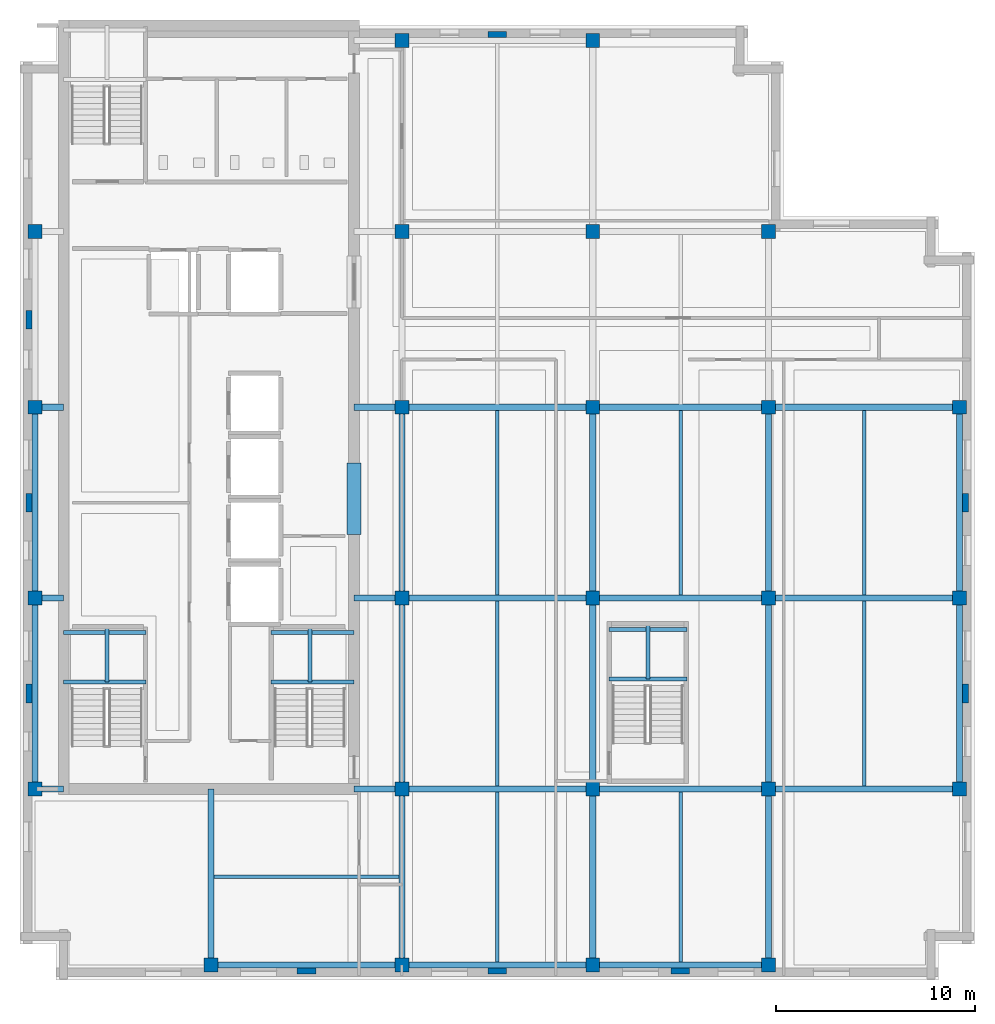
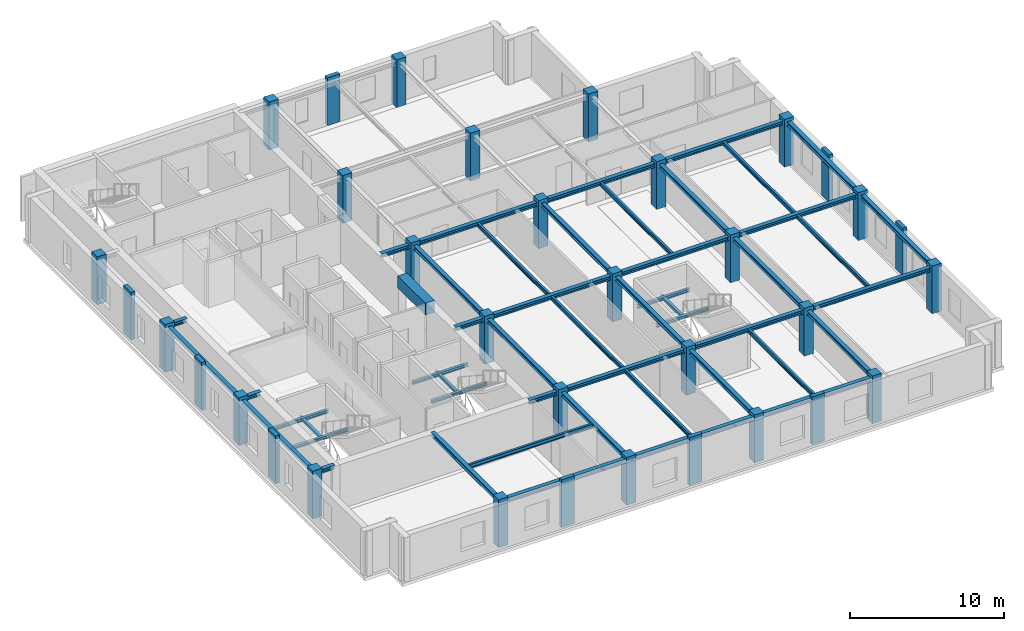
# One storey, part 1 of 11: 50 beams, 34 columns.
"""IFC4 building model written with IfcOpenShell, lengths in metres."""

from ifc_helpers import new_model, si_unit, direction, frame, origin, origin_2d, place, context, subcontext, project, spatial, rectangle, i_section, extrude, material, material_profile, profile_set, type_object, element, save


model = new_model("IFC4")

# Units and contexts
model_context = context("Model", 3, precision=1e-05, world=origin(), true_north=direction((0.0, 1.0)))
body_context = subcontext(model_context, "Body", "Model", "MODEL_VIEW")
ifc_project = project(units=[si_unit("LENGTHUNIT", "METRE"), si_unit("AREAUNIT", "SQUARE_METRE"), si_unit("VOLUMEUNIT", "CUBIC_METRE"), si_unit("PLANEANGLEUNIT", "RADIAN"), si_unit("MASSUNIT", "GRAM", prefix="KILO")], contexts=[model_context])

# Site, building, storey
site_placement = place(None, origin())
site = spatial("IfcSite", under=ifc_project, at=site_placement, CompositionType="ELEMENT")
building_placement = place(site_placement, origin())
building = spatial("IfcBuilding", under=site, at=building_placement, Name="Norrvale University Quadrangle", CompositionType="ELEMENT")
storey_placement = place(building_placement, frame((0.0, 0.0, 300.0)))
storey = spatial("IfcBuildingStorey", under=building, at=storey_placement, Name="L76", CompositionType="ELEMENT", Elevation=300.0)

# Columns
ifc_material_1 = material(Name="Red Manganese Brick Concrete C60/75", Category="concrete")
ifc_material_profile_1 = material_profile(ifc_material_1, rectangle(XDim=0.949951171875, YDim=0.300048828125, at=origin_2d()), Name="Red Manganese Brick Concrete C60/75")
ifc_profile_set_1 = profile_set([ifc_material_profile_1], Name="Red Manganese Brick Concrete C60/75")
column_type_1 = type_object("IfcColumnType", Name="Column Brick Pier 950x300", PredefinedType="PILASTER", material=ifc_profile_set_1)
for number, where, z_axis, x_axis, name in (
    (1, (0.449951171875, 14.39990234375, 0.0), (0.0, 0.0, 1.0), (0.0, 1.0, 0.0), "Exterior Brick Facade Pilaster L76-01"),
    (2, (0.449951171875, 24.0, 0.0), (0.0, 0.0, 1.0), (0.0, 1.0, 0.0), "Exterior Brick Facade Pilaster L76-02"),
    (3, (0.449951171875, 33.199951171875, 0.0), (0.0, 0.0, 1.0), (0.0, 1.0, 0.0), "Exterior Brick Facade Pilaster L76-03"),
    (4, (14.39990234375, 0.449951171875, 0.0), (0.0, 0.0, 1.0), (1.0, 0.0, 0.0), "Exterior Brick Facade Pilaster L76-04"),
    (5, (24.0, 0.449951171875, 0.0), (0.0, 0.0, 1.0), (1.0, 0.0, 0.0), "Exterior Brick Facade Pilaster L76-05"),
    (6, (33.199951171875, 0.449951171875, 0.0), (0.0, 0.0, 1.0), (1.0, 0.0, 0.0), "Exterior Brick Facade Pilaster L76-06"),
    (7, (47.550048828125, 14.39990234375, 0.0), (0.0, 0.0, 1.0), (0.0, 1.0, 0.0), "Exterior Brick Facade Pilaster L76-07"),
    (8, (47.550048828125, 24.0, 0.0), (0.0, 0.0, 1.0), (0.0, 1.0, 0.0), "Exterior Brick Facade Pilaster L76-08"),
    (9, (24.0, 47.550048828125, 0.0), (0.0, 0.0, 1.0), (1.0, 0.0, 0.0), "Exterior Brick Facade Pilaster L76-09"),
):
    element("IfcColumn", number, at=place(storey_placement, frame(where, z_axis=z_axis, x_axis=x_axis)), inside=storey, type_object=column_type_1, Name=name, PredefinedType="PILASTER", context=body_context, shape_type="SweptSolid", body=[
        extrude(rectangle(XDim=0.949951171875, YDim=0.300048828125, at=origin_2d()), origin(), (0.0, 0.0, 1.0), 3.800048828125),
    ])
ifc_material_2 = material(Name="Concrete C60/75", Category="concrete")
ifc_material_profile_2 = material_profile(ifc_material_2, rectangle(XDim=0.699951171875, YDim=0.699951171875, at=origin_2d()), Name="Concrete C60/75")
ifc_profile_set_2 = profile_set([ifc_material_profile_2], Name="Concrete C60/75")
column_type_2 = type_object("IfcColumnType", Name="Column Tower Z4 700x700", PredefinedType="COLUMN", material=ifc_profile_set_2)
for number, where, z_axis, x_axis, name in (
    (10, (0.75, 9.60009765625, 0.0), (0.0, 0.0, 1.0), (1.0, 0.0, 0.0), "Tower Column L76-T01"),
    (11, (0.75, 19.199951171875, 0.0), (0.0, 0.0, 1.0), (1.0, 0.0, 0.0), "Tower Column L76-T02"),
    (12, (0.75, 28.800048828125, 0.0), (0.0, 0.0, 1.0), (1.0, 0.0, 0.0), "Tower Column L76-T03"),
    (13, (0.75, 37.64990234375, 0.0), (0.0, 0.0, 1.0), (1.0, 0.0, 0.0), "Tower Column L76-T04"),
    (14, (9.60009765625, 0.75, 0.0), (0.0, 0.0, 1.0), (1.0, 0.0, 0.0), "Tower Column L76-T05"),
    (15, (19.199951171875, 0.75, 0.0), (0.0, 0.0, 1.0), (1.0, 0.0, 0.0), "Tower Column L76-T06"),
    (16, (19.199951171875, 9.60009765625, 0.0), (0.0, 0.0, 1.0), (1.0, 0.0, 0.0), "Tower Column L76-T07"),
    (17, (19.199951171875, 19.199951171875, 0.0), (0.0, 0.0, 1.0), (1.0, 0.0, 0.0), "Tower Column L76-T08"),
    (18, (19.199951171875, 28.800048828125, 0.0), (0.0, 0.0, 1.0), (1.0, 0.0, 0.0), "Tower Column L76-T09"),
    (19, (19.199951171875, 37.64990234375, 0.0), (0.0, 0.0, 1.0), (1.0, 0.0, 0.0), "Tower Column L76-T10"),
    (20, (19.199951171875, 47.25, 0.0), (0.0, 0.0, 1.0), (1.0, 0.0, 0.0), "Tower Column L76-T11"),
    (21, (28.800048828125, 0.75, 0.0), (0.0, 0.0, 1.0), (1.0, 0.0, 0.0), "Tower Column L76-T12"),
    (22, (28.800048828125, 9.60009765625, 0.0), (0.0, 0.0, 1.0), (1.0, 0.0, 0.0), "Tower Column L76-T13"),
    (23, (28.800048828125, 19.199951171875, 0.0), (0.0, 0.0, 1.0), (1.0, 0.0, 0.0), "Tower Column L76-T14"),
    (24, (28.800048828125, 28.800048828125, 0.0), (0.0, 0.0, 1.0), (1.0, 0.0, 0.0), "Tower Column L76-T15"),
    (25, (28.800048828125, 37.64990234375, 0.0), (0.0, 0.0, 1.0), (1.0, 0.0, 0.0), "Tower Column L76-T16"),
    (26, (28.800048828125, 47.25, 0.0), (0.0, 0.0, 1.0), (1.0, 0.0, 0.0), "Tower Column L76-T17"),
    (27, (37.64990234375, 0.75, 0.0), (0.0, 0.0, 1.0), (1.0, 0.0, 0.0), "Tower Column L76-T18"),
    (28, (37.64990234375, 9.60009765625, 0.0), (0.0, 0.0, 1.0), (1.0, 0.0, 0.0), "Tower Column L76-T19"),
    (29, (37.64990234375, 19.199951171875, 0.0), (0.0, 0.0, 1.0), (1.0, 0.0, 0.0), "Tower Column L76-T20"),
    (30, (37.64990234375, 28.800048828125, 0.0), (0.0, 0.0, 1.0), (1.0, 0.0, 0.0), "Tower Column L76-T21"),
    (31, (37.64990234375, 37.64990234375, 0.0), (0.0, 0.0, 1.0), (1.0, 0.0, 0.0), "Tower Column L76-T22"),
    (32, (47.25, 9.60009765625, 0.0), (0.0, 0.0, 1.0), (1.0, 0.0, 0.0), "Tower Column L76-T23"),
    (33, (47.25, 19.199951171875, 0.0), (0.0, 0.0, 1.0), (1.0, 0.0, 0.0), "Tower Column L76-T24"),
    (34, (47.25, 28.800048828125, 0.0), (0.0, 0.0, 1.0), (1.0, 0.0, 0.0), "Tower Column L76-T25"),
):
    element("IfcColumn", number, at=place(storey_placement, frame(where, z_axis=z_axis, x_axis=x_axis)), inside=storey, type_object=column_type_2, Name=name, PredefinedType="COLUMN", context=body_context, shape_type="SweptSolid", body=[
        extrude(rectangle(XDim=0.699951171875, YDim=0.699951171875, at=origin_2d()), origin(), (0.0, 0.0, 1.0), 3.800048828125),
    ])

# Beams
ifc_material_3 = material(Name="Steel 350W", Category="steel")
ifc_material_profile_3 = material_profile(ifc_material_3, i_section(OverallWidth=0.1669921875, OverallDepth=0.31689453125, WebThickness=0.007568359375, FlangeThickness=0.01318359375, FilletRadius=0.010009765625, at=origin_2d()), Name="Steel 350W")
ifc_profile_set_3 = profile_set([ifc_material_profile_3], Name="Steel 350W")
beam_type_1 = type_object("IfcBeamType", Name="Beam Canopy Purlin W310x52", PredefinedType="USERDEFINED", material=ifc_profile_set_3)
beam_1_placement = place(storey_placement, frame((24.0, 0.902587890625, 3.381591796875), z_axis=(0.0, 1.0, 0.0), x_axis=(-1.0, 0.0, 0.0)))
element("IfcBeam", 35, at=beam_1_placement, inside=storey, type_object=beam_type_1, Name="Beam Canopy Purlin W310x52 BM-L76-J044", ObjectType="PURLIN", PredefinedType="USERDEFINED", context=body_context, shape_type="SweptSolid", body=[
    extrude(i_section(OverallWidth=0.1669921875, OverallDepth=0.31689453125, WebThickness=0.007568359375, FlangeThickness=0.01318359375, FilletRadius=0.010009765625, at=origin_2d()), origin(), (0.0, 0.0, 1.0), 8.544921875),
])
beam_2_placement = place(storey_placement, frame((24.0, 9.75244140625, 3.381591796875), z_axis=(0.0, 1.0, 0.0), x_axis=(-1.0, 0.0, 0.0)))
element("IfcBeam", 36, at=beam_2_placement, inside=storey, type_object=beam_type_1, Name="Beam Canopy Purlin W310x52 BM-L76-J045", ObjectType="PURLIN", PredefinedType="USERDEFINED", context=body_context, shape_type="SweptSolid", body=[
    extrude(i_section(OverallWidth=0.1669921875, OverallDepth=0.31689453125, WebThickness=0.007568359375, FlangeThickness=0.01318359375, FilletRadius=0.010009765625, at=origin_2d()), origin(), (0.0, 0.0, 1.0), 9.295166015625),
])
beam_3_placement = place(storey_placement, frame((24.0, 19.3525390625, 3.381591796875), z_axis=(0.0, 1.0, 0.0), x_axis=(-1.0, 0.0, 0.0)))
element("IfcBeam", 37, at=beam_3_placement, inside=storey, type_object=beam_type_1, Name="Beam Canopy Purlin W310x52 BM-L76-J046", ObjectType="PURLIN", PredefinedType="USERDEFINED", context=body_context, shape_type="SweptSolid", body=[
    extrude(i_section(OverallWidth=0.1669921875, OverallDepth=0.31689453125, WebThickness=0.007568359375, FlangeThickness=0.01318359375, FilletRadius=0.010009765625, at=origin_2d()), origin(), (0.0, 0.0, 1.0), 9.294921875),
])
beam_4_placement = place(storey_placement, frame((33.22509765625, 0.902587890625, 3.381591796875), z_axis=(0.0, 1.0, 0.0), x_axis=(-1.0, 0.0, 0.0)))
element("IfcBeam", 38, at=beam_4_placement, inside=storey, type_object=beam_type_1, Name="Beam Canopy Purlin W310x52 BM-L76-J049", ObjectType="PURLIN", PredefinedType="USERDEFINED", context=body_context, shape_type="SweptSolid", body=[
    extrude(i_section(OverallWidth=0.1669921875, OverallDepth=0.31689453125, WebThickness=0.007568359375, FlangeThickness=0.01318359375, FilletRadius=0.010009765625, at=origin_2d()), origin(), (0.0, 0.0, 1.0), 8.544921875),
])
beam_5_placement = place(storey_placement, frame((33.22509765625, 19.3525390625, 3.381591796875), z_axis=(0.0, 1.0, 0.0), x_axis=(-1.0, 0.0, 0.0)))
element("IfcBeam", 39, at=beam_5_placement, inside=storey, type_object=beam_type_1, Name="Beam Canopy Purlin W310x52 BM-L76-J050", ObjectType="PURLIN", PredefinedType="USERDEFINED", context=body_context, shape_type="SweptSolid", body=[
    extrude(i_section(OverallWidth=0.1669921875, OverallDepth=0.31689453125, WebThickness=0.007568359375, FlangeThickness=0.01318359375, FilletRadius=0.010009765625, at=origin_2d()), origin(), (0.0, 0.0, 1.0), 9.294921875),
])
beam_6_placement = place(storey_placement, frame((42.449951171875, 9.75244140625, 3.381591796875), z_axis=(0.0, 1.0, 0.0), x_axis=(-1.0, 0.0, 0.0)))
element("IfcBeam", 40, at=beam_6_placement, inside=storey, type_object=beam_type_1, Name="Beam Canopy Purlin W310x52 BM-L76-J052", ObjectType="PURLIN", PredefinedType="USERDEFINED", context=body_context, shape_type="SweptSolid", body=[
    extrude(i_section(OverallWidth=0.1669921875, OverallDepth=0.31689453125, WebThickness=0.007568359375, FlangeThickness=0.01318359375, FilletRadius=0.010009765625, at=origin_2d()), origin(), (0.0, 0.0, 1.0), 9.295166015625),
])
beam_7_placement = place(storey_placement, frame((42.449951171875, 19.3525390625, 3.381591796875), z_axis=(0.0, 1.0, 0.0), x_axis=(-1.0, 0.0, 0.0)))
element("IfcBeam", 41, at=beam_7_placement, inside=storey, type_object=beam_type_1, Name="Beam Canopy Purlin W310x52 BM-L76-J053", ObjectType="PURLIN", PredefinedType="USERDEFINED", context=body_context, shape_type="SweptSolid", body=[
    extrude(i_section(OverallWidth=0.1669921875, OverallDepth=0.31689453125, WebThickness=0.007568359375, FlangeThickness=0.01318359375, FilletRadius=0.010009765625, at=origin_2d()), origin(), (0.0, 0.0, 1.0), 9.294921875),
])
beam_8_placement = place(storey_placement, frame((9.75244140625, 5.199951171875, 3.381591796875), z_axis=(1.0, 0.0, 0.0), x_axis=(0.0, 1.0, 0.0)))
element("IfcBeam", 42, at=beam_8_placement, inside=storey, type_object=beam_type_1, Name="Beam Canopy Purlin W310x52 BM-L76-JCS055", ObjectType="PURLIN", PredefinedType="USERDEFINED", context=body_context, shape_type="SweptSolid", body=[
    extrude(i_section(OverallWidth=0.1669921875, OverallDepth=0.31689453125, WebThickness=0.007568359375, FlangeThickness=0.01318359375, FilletRadius=0.010009765625, at=origin_2d()), origin(), (0.0, 0.0, 1.0), 9.295166015625),
])
ifc_material_profile_4 = material_profile(ifc_material_3, i_section(OverallWidth=0.304931640625, OverallDepth=0.30810546875, WebThickness=0.010009765625, FlangeThickness=0.015380859375, FilletRadius=0.014892578125, at=origin_2d()), Name="Steel 350W")
ifc_profile_set_4 = profile_set([ifc_material_profile_4], Name="Steel 350W")
beam_type_2 = type_object("IfcBeamType", Name="Beam Canopy W310x97", PredefinedType="BEAM", material=ifc_profile_set_4)
beam_9_placement = place(storey_placement, frame((9.60009765625, 0.75, 3.385986328125), z_axis=(1.0, 0.0, 0.0), x_axis=(0.0, 1.0, 0.0)))
element("IfcBeam", 43, at=beam_9_placement, inside=storey, type_object=beam_type_2, Name="Beam Canopy W310x97 BM-L76-GX001", PredefinedType="BEAM", context=body_context, shape_type="SweptSolid", body=[
    extrude(i_section(OverallWidth=0.304931640625, OverallDepth=0.30810546875, WebThickness=0.010009765625, FlangeThickness=0.015380859375, FilletRadius=0.014892578125, at=origin_2d()), origin(), (0.0, 0.0, 1.0), 9.599853515625),
])
beam_10_placement = place(storey_placement, frame((19.199951171875, 0.75, 3.385986328125), z_axis=(1.0, 0.0, 0.0), x_axis=(0.0, 1.0, 0.0)))
element("IfcBeam", 44, at=beam_10_placement, inside=storey, type_object=beam_type_2, Name="Beam Canopy W310x97 BM-L76-GX002", PredefinedType="BEAM", context=body_context, shape_type="SweptSolid", body=[
    extrude(i_section(OverallWidth=0.304931640625, OverallDepth=0.30810546875, WebThickness=0.010009765625, FlangeThickness=0.015380859375, FilletRadius=0.014892578125, at=origin_2d()), origin(), (0.0, 0.0, 1.0), 9.60009765625),
])
beam_11_placement = place(storey_placement, frame((28.800048828125, 0.75, 3.385986328125), z_axis=(1.0, 0.0, 0.0), x_axis=(0.0, 1.0, 0.0)))
element("IfcBeam", 45, at=beam_11_placement, inside=storey, type_object=beam_type_2, Name="Beam Canopy W310x97 BM-L76-GX003", PredefinedType="BEAM", context=body_context, shape_type="SweptSolid", body=[
    extrude(i_section(OverallWidth=0.304931640625, OverallDepth=0.30810546875, WebThickness=0.010009765625, FlangeThickness=0.015380859375, FilletRadius=0.014892578125, at=origin_2d()), origin(), (0.0, 0.0, 1.0), 8.849853515625),
])
beam_12_placement = place(storey_placement, frame((19.199951171875, 9.60009765625, 3.385986328125), z_axis=(1.0, 0.0, 0.0), x_axis=(0.0, 1.0, 0.0)))
element("IfcBeam", 46, at=beam_12_placement, inside=storey, type_object=beam_type_2, Name="Beam Canopy W310x97 BM-L76-GX004", PredefinedType="BEAM", context=body_context, shape_type="SweptSolid", body=[
    extrude(i_section(OverallWidth=0.304931640625, OverallDepth=0.30810546875, WebThickness=0.010009765625, FlangeThickness=0.015380859375, FilletRadius=0.014892578125, at=origin_2d()), origin(), (0.0, 0.0, 1.0), 9.60009765625),
])
beam_13_placement = place(storey_placement, frame((28.800048828125, 9.60009765625, 3.385986328125), z_axis=(1.0, 0.0, 0.0), x_axis=(0.0, 1.0, 0.0)))
element("IfcBeam", 47, at=beam_13_placement, inside=storey, type_object=beam_type_2, Name="Beam Canopy W310x97 BM-L76-GX005", PredefinedType="BEAM", context=body_context, shape_type="SweptSolid", body=[
    extrude(i_section(OverallWidth=0.304931640625, OverallDepth=0.30810546875, WebThickness=0.010009765625, FlangeThickness=0.015380859375, FilletRadius=0.014892578125, at=origin_2d()), origin(), (0.0, 0.0, 1.0), 8.849853515625),
])
for number, where, z_axis, x_axis, name in (
    (48, (37.64990234375, 9.60009765625, 3.385986328125), (1.0, 0.0, 0.0), (0.0, 1.0, 0.0), "Beam Canopy W310x97 BM-L76-GX006"),
    (49, (19.199951171875, 19.199951171875, 3.385986328125), (1.0, 0.0, 0.0), (0.0, 1.0, 0.0), "Beam Canopy W310x97 BM-L76-GX007"),
):
    element("IfcBeam", number, at=place(storey_placement, frame(where, z_axis=z_axis, x_axis=x_axis)), inside=storey, type_object=beam_type_2, Name=name, PredefinedType="BEAM", context=body_context, shape_type="SweptSolid", body=[
        extrude(i_section(OverallWidth=0.304931640625, OverallDepth=0.30810546875, WebThickness=0.010009765625, FlangeThickness=0.015380859375, FilletRadius=0.014892578125, at=origin_2d()), origin(), (0.0, 0.0, 1.0), 9.60009765625),
    ])
beam_14_placement = place(storey_placement, frame((28.800048828125, 19.199951171875, 3.385986328125), z_axis=(1.0, 0.0, 0.0), x_axis=(0.0, 1.0, 0.0)))
element("IfcBeam", 50, at=beam_14_placement, inside=storey, type_object=beam_type_2, Name="Beam Canopy W310x97 BM-L76-GX008", PredefinedType="BEAM", context=body_context, shape_type="SweptSolid", body=[
    extrude(i_section(OverallWidth=0.304931640625, OverallDepth=0.30810546875, WebThickness=0.010009765625, FlangeThickness=0.015380859375, FilletRadius=0.014892578125, at=origin_2d()), origin(), (0.0, 0.0, 1.0), 8.849853515625),
])
for number, where, z_axis, x_axis, name in (
    (51, (37.64990234375, 19.199951171875, 3.385986328125), (1.0, 0.0, 0.0), (0.0, 1.0, 0.0), "Beam Canopy W310x97 BM-L76-GX009"),
    (52, (19.199951171875, 28.800048828125, 3.385986328125), (1.0, 0.0, 0.0), (0.0, 1.0, 0.0), "Beam Canopy W310x97 BM-L76-GX010"),
):
    element("IfcBeam", number, at=place(storey_placement, frame(where, z_axis=z_axis, x_axis=x_axis)), inside=storey, type_object=beam_type_2, Name=name, PredefinedType="BEAM", context=body_context, shape_type="SweptSolid", body=[
        extrude(i_section(OverallWidth=0.304931640625, OverallDepth=0.30810546875, WebThickness=0.010009765625, FlangeThickness=0.015380859375, FilletRadius=0.014892578125, at=origin_2d()), origin(), (0.0, 0.0, 1.0), 9.60009765625),
    ])
beam_15_placement = place(storey_placement, frame((28.800048828125, 28.800048828125, 3.385986328125), z_axis=(1.0, 0.0, 0.0), x_axis=(0.0, 1.0, 0.0)))
element("IfcBeam", 53, at=beam_15_placement, inside=storey, type_object=beam_type_2, Name="Beam Canopy W310x97 BM-L76-GX011", PredefinedType="BEAM", context=body_context, shape_type="SweptSolid", body=[
    extrude(i_section(OverallWidth=0.304931640625, OverallDepth=0.30810546875, WebThickness=0.010009765625, FlangeThickness=0.015380859375, FilletRadius=0.014892578125, at=origin_2d()), origin(), (0.0, 0.0, 1.0), 8.849853515625),
])
beam_16_placement = place(storey_placement, frame((37.64990234375, 28.800048828125, 3.385986328125), z_axis=(1.0, 0.0, 0.0), x_axis=(0.0, 1.0, 0.0)))
element("IfcBeam", 54, at=beam_16_placement, inside=storey, type_object=beam_type_2, Name="Beam Canopy W310x97 BM-L76-GX012", PredefinedType="BEAM", context=body_context, shape_type="SweptSolid", body=[
    extrude(i_section(OverallWidth=0.304931640625, OverallDepth=0.30810546875, WebThickness=0.010009765625, FlangeThickness=0.015380859375, FilletRadius=0.014892578125, at=origin_2d()), origin(), (0.0, 0.0, 1.0), 9.60009765625),
])
beam_17_placement = place(storey_placement, frame((0.75, 9.60009765625, 3.385986328125), z_axis=(0.0, 1.0, 0.0), x_axis=(-1.0, 0.0, 0.0)))
element("IfcBeam", 55, at=beam_17_placement, inside=storey, type_object=beam_type_2, Name="Beam Canopy W310x97 BM-L76-GY016", PredefinedType="BEAM", context=body_context, shape_type="SweptSolid", body=[
    extrude(i_section(OverallWidth=0.304931640625, OverallDepth=0.30810546875, WebThickness=0.010009765625, FlangeThickness=0.015380859375, FilletRadius=0.014892578125, at=origin_2d()), origin(), (0.0, 0.0, 1.0), 9.599853515625),
])
beam_18_placement = place(storey_placement, frame((0.75, 19.199951171875, 3.385986328125), z_axis=(0.0, 1.0, 0.0), x_axis=(-1.0, 0.0, 0.0)))
element("IfcBeam", 56, at=beam_18_placement, inside=storey, type_object=beam_type_2, Name="Beam Canopy W310x97 BM-L76-GY017", PredefinedType="BEAM", context=body_context, shape_type="SweptSolid", body=[
    extrude(i_section(OverallWidth=0.304931640625, OverallDepth=0.30810546875, WebThickness=0.010009765625, FlangeThickness=0.015380859375, FilletRadius=0.014892578125, at=origin_2d()), origin(), (0.0, 0.0, 1.0), 9.60009765625),
])
beam_19_placement = place(storey_placement, frame((19.199951171875, 0.75, 3.385986328125), z_axis=(0.0, 1.0, 0.0), x_axis=(-1.0, 0.0, 0.0)))
element("IfcBeam", 57, at=beam_19_placement, inside=storey, type_object=beam_type_2, Name="Beam Canopy W310x97 BM-L76-GY019", PredefinedType="BEAM", context=body_context, shape_type="SweptSolid", body=[
    extrude(i_section(OverallWidth=0.304931640625, OverallDepth=0.30810546875, WebThickness=0.010009765625, FlangeThickness=0.015380859375, FilletRadius=0.014892578125, at=origin_2d()), origin(), (0.0, 0.0, 1.0), 8.85009765625),
])
beam_20_placement = place(storey_placement, frame((19.199951171875, 9.60009765625, 3.385986328125), z_axis=(0.0, 1.0, 0.0), x_axis=(-1.0, 0.0, 0.0)))
element("IfcBeam", 58, at=beam_20_placement, inside=storey, type_object=beam_type_2, Name="Beam Canopy W310x97 BM-L76-GY020", PredefinedType="BEAM", context=body_context, shape_type="SweptSolid", body=[
    extrude(i_section(OverallWidth=0.304931640625, OverallDepth=0.30810546875, WebThickness=0.010009765625, FlangeThickness=0.015380859375, FilletRadius=0.014892578125, at=origin_2d()), origin(), (0.0, 0.0, 1.0), 9.599853515625),
])
beam_21_placement = place(storey_placement, frame((19.199951171875, 19.199951171875, 3.385986328125), z_axis=(0.0, 1.0, 0.0), x_axis=(-1.0, 0.0, 0.0)))
element("IfcBeam", 59, at=beam_21_placement, inside=storey, type_object=beam_type_2, Name="Beam Canopy W310x97 BM-L76-GY021", PredefinedType="BEAM", context=body_context, shape_type="SweptSolid", body=[
    extrude(i_section(OverallWidth=0.304931640625, OverallDepth=0.30810546875, WebThickness=0.010009765625, FlangeThickness=0.015380859375, FilletRadius=0.014892578125, at=origin_2d()), origin(), (0.0, 0.0, 1.0), 9.60009765625),
])
beam_22_placement = place(storey_placement, frame((28.800048828125, 0.75, 3.385986328125), z_axis=(0.0, 1.0, 0.0), x_axis=(-1.0, 0.0, 0.0)))
element("IfcBeam", 60, at=beam_22_placement, inside=storey, type_object=beam_type_2, Name="Beam Canopy W310x97 BM-L76-GY024", PredefinedType="BEAM", context=body_context, shape_type="SweptSolid", body=[
    extrude(i_section(OverallWidth=0.304931640625, OverallDepth=0.30810546875, WebThickness=0.010009765625, FlangeThickness=0.015380859375, FilletRadius=0.014892578125, at=origin_2d()), origin(), (0.0, 0.0, 1.0), 8.85009765625),
])
beam_23_placement = place(storey_placement, frame((28.800048828125, 9.60009765625, 3.385986328125), z_axis=(0.0, 1.0, 0.0), x_axis=(-1.0, 0.0, 0.0)))
element("IfcBeam", 61, at=beam_23_placement, inside=storey, type_object=beam_type_2, Name="Beam Canopy W310x97 BM-L76-GY025", PredefinedType="BEAM", context=body_context, shape_type="SweptSolid", body=[
    extrude(i_section(OverallWidth=0.304931640625, OverallDepth=0.30810546875, WebThickness=0.010009765625, FlangeThickness=0.015380859375, FilletRadius=0.014892578125, at=origin_2d()), origin(), (0.0, 0.0, 1.0), 9.599853515625),
])
beam_24_placement = place(storey_placement, frame((28.800048828125, 19.199951171875, 3.385986328125), z_axis=(0.0, 1.0, 0.0), x_axis=(-1.0, 0.0, 0.0)))
element("IfcBeam", 62, at=beam_24_placement, inside=storey, type_object=beam_type_2, Name="Beam Canopy W310x97 BM-L76-GY026", PredefinedType="BEAM", context=body_context, shape_type="SweptSolid", body=[
    extrude(i_section(OverallWidth=0.304931640625, OverallDepth=0.30810546875, WebThickness=0.010009765625, FlangeThickness=0.015380859375, FilletRadius=0.014892578125, at=origin_2d()), origin(), (0.0, 0.0, 1.0), 9.60009765625),
])
beam_25_placement = place(storey_placement, frame((37.64990234375, 0.75, 3.385986328125), z_axis=(0.0, 1.0, 0.0), x_axis=(-1.0, 0.0, 0.0)))
element("IfcBeam", 63, at=beam_25_placement, inside=storey, type_object=beam_type_2, Name="Beam Canopy W310x97 BM-L76-GY029", PredefinedType="BEAM", context=body_context, shape_type="SweptSolid", body=[
    extrude(i_section(OverallWidth=0.304931640625, OverallDepth=0.30810546875, WebThickness=0.010009765625, FlangeThickness=0.015380859375, FilletRadius=0.014892578125, at=origin_2d()), origin(), (0.0, 0.0, 1.0), 8.85009765625),
])
beam_26_placement = place(storey_placement, frame((37.64990234375, 9.60009765625, 3.385986328125), z_axis=(0.0, 1.0, 0.0), x_axis=(-1.0, 0.0, 0.0)))
element("IfcBeam", 64, at=beam_26_placement, inside=storey, type_object=beam_type_2, Name="Beam Canopy W310x97 BM-L76-GY030", PredefinedType="BEAM", context=body_context, shape_type="SweptSolid", body=[
    extrude(i_section(OverallWidth=0.304931640625, OverallDepth=0.30810546875, WebThickness=0.010009765625, FlangeThickness=0.015380859375, FilletRadius=0.014892578125, at=origin_2d()), origin(), (0.0, 0.0, 1.0), 9.599853515625),
])
beam_27_placement = place(storey_placement, frame((37.64990234375, 19.199951171875, 3.385986328125), z_axis=(0.0, 1.0, 0.0), x_axis=(-1.0, 0.0, 0.0)))
element("IfcBeam", 65, at=beam_27_placement, inside=storey, type_object=beam_type_2, Name="Beam Canopy W310x97 BM-L76-GY031", PredefinedType="BEAM", context=body_context, shape_type="SweptSolid", body=[
    extrude(i_section(OverallWidth=0.304931640625, OverallDepth=0.30810546875, WebThickness=0.010009765625, FlangeThickness=0.015380859375, FilletRadius=0.014892578125, at=origin_2d()), origin(), (0.0, 0.0, 1.0), 9.60009765625),
])
beam_28_placement = place(storey_placement, frame((47.25, 9.60009765625, 3.385986328125), z_axis=(0.0, 1.0, 0.0), x_axis=(-1.0, 0.0, 0.0)))
element("IfcBeam", 66, at=beam_28_placement, inside=storey, type_object=beam_type_2, Name="Beam Canopy W310x97 BM-L76-GY033", PredefinedType="BEAM", context=body_context, shape_type="SweptSolid", body=[
    extrude(i_section(OverallWidth=0.304931640625, OverallDepth=0.30810546875, WebThickness=0.010009765625, FlangeThickness=0.015380859375, FilletRadius=0.014892578125, at=origin_2d()), origin(), (0.0, 0.0, 1.0), 9.599853515625),
])
beam_29_placement = place(storey_placement, frame((47.25, 19.199951171875, 3.385986328125), z_axis=(0.0, 1.0, 0.0), x_axis=(-1.0, 0.0, 0.0)))
element("IfcBeam", 67, at=beam_29_placement, inside=storey, type_object=beam_type_2, Name="Beam Canopy W310x97 BM-L76-GY034", PredefinedType="BEAM", context=body_context, shape_type="SweptSolid", body=[
    extrude(i_section(OverallWidth=0.304931640625, OverallDepth=0.30810546875, WebThickness=0.010009765625, FlangeThickness=0.015380859375, FilletRadius=0.014892578125, at=origin_2d()), origin(), (0.0, 0.0, 1.0), 9.60009765625),
])
beam_30_placement = place(storey_placement, frame((0.75, 9.60009765625, 3.385986328125), z_axis=(1.0, 0.0, 0.0), x_axis=(0.0, 1.0, 0.0)))
element("IfcBeam", 68, at=beam_30_placement, inside=storey, type_object=beam_type_2, Name="Beam Canopy W310x97 BM-L76-GCW035", PredefinedType="BEAM", context=body_context, shape_type="SweptSolid", body=[
    extrude(i_section(OverallWidth=0.304931640625, OverallDepth=0.30810546875, WebThickness=0.010009765625, FlangeThickness=0.015380859375, FilletRadius=0.014892578125, at=origin_2d()), origin(), (0.0, 0.0, 1.0), 1.449951171875),
])
beam_31_placement = place(storey_placement, frame((16.800048828125, 9.60009765625, 3.385986328125), z_axis=(1.0, 0.0, 0.0), x_axis=(0.0, 1.0, 0.0)))
element("IfcBeam", 69, at=beam_31_placement, inside=storey, type_object=beam_type_2, Name="Beam Canopy W310x97 BM-L76-GCE036", PredefinedType="BEAM", context=body_context, shape_type="SweptSolid", body=[
    extrude(i_section(OverallWidth=0.304931640625, OverallDepth=0.30810546875, WebThickness=0.010009765625, FlangeThickness=0.015380859375, FilletRadius=0.014892578125, at=origin_2d()), origin(), (0.0, 0.0, 1.0), 2.39990234375),
])
beam_32_placement = place(storey_placement, frame((0.75, 19.199951171875, 3.385986328125), z_axis=(1.0, 0.0, 0.0), x_axis=(0.0, 1.0, 0.0)))
element("IfcBeam", 70, at=beam_32_placement, inside=storey, type_object=beam_type_2, Name="Beam Canopy W310x97 BM-L76-GCW037", PredefinedType="BEAM", context=body_context, shape_type="SweptSolid", body=[
    extrude(i_section(OverallWidth=0.304931640625, OverallDepth=0.30810546875, WebThickness=0.010009765625, FlangeThickness=0.015380859375, FilletRadius=0.014892578125, at=origin_2d()), origin(), (0.0, 0.0, 1.0), 1.449951171875),
])
beam_33_placement = place(storey_placement, frame((16.800048828125, 19.199951171875, 3.385986328125), z_axis=(1.0, 0.0, 0.0), x_axis=(0.0, 1.0, 0.0)))
element("IfcBeam", 71, at=beam_33_placement, inside=storey, type_object=beam_type_2, Name="Beam Canopy W310x97 BM-L76-GCE038", PredefinedType="BEAM", context=body_context, shape_type="SweptSolid", body=[
    extrude(i_section(OverallWidth=0.304931640625, OverallDepth=0.30810546875, WebThickness=0.010009765625, FlangeThickness=0.015380859375, FilletRadius=0.014892578125, at=origin_2d()), origin(), (0.0, 0.0, 1.0), 2.39990234375),
])
beam_34_placement = place(storey_placement, frame((0.75, 28.800048828125, 3.385986328125), z_axis=(1.0, 0.0, 0.0), x_axis=(0.0, 1.0, 0.0)))
element("IfcBeam", 72, at=beam_34_placement, inside=storey, type_object=beam_type_2, Name="Beam Canopy W310x97 BM-L76-GCW039", PredefinedType="BEAM", context=body_context, shape_type="SweptSolid", body=[
    extrude(i_section(OverallWidth=0.304931640625, OverallDepth=0.30810546875, WebThickness=0.010009765625, FlangeThickness=0.015380859375, FilletRadius=0.014892578125, at=origin_2d()), origin(), (0.0, 0.0, 1.0), 1.449951171875),
])
beam_35_placement = place(storey_placement, frame((16.800048828125, 28.800048828125, 3.385986328125), z_axis=(1.0, 0.0, 0.0), x_axis=(0.0, 1.0, 0.0)))
element("IfcBeam", 73, at=beam_35_placement, inside=storey, type_object=beam_type_2, Name="Beam Canopy W310x97 BM-L76-GCE040", PredefinedType="BEAM", context=body_context, shape_type="SweptSolid", body=[
    extrude(i_section(OverallWidth=0.304931640625, OverallDepth=0.30810546875, WebThickness=0.010009765625, FlangeThickness=0.015380859375, FilletRadius=0.014892578125, at=origin_2d()), origin(), (0.0, 0.0, 1.0), 2.39990234375),
])
beam_36_placement = place(storey_placement, frame((9.60009765625, 0.75, 3.385986328125), z_axis=(0.0, 1.0, 0.0), x_axis=(-1.0, 0.0, 0.0)))
element("IfcBeam", 74, at=beam_36_placement, inside=storey, type_object=beam_type_2, Name="Beam Canopy W310x97 BM-L76-GCS054", PredefinedType="BEAM", context=body_context, shape_type="SweptSolid", body=[
    extrude(i_section(OverallWidth=0.304931640625, OverallDepth=0.30810546875, WebThickness=0.010009765625, FlangeThickness=0.015380859375, FilletRadius=0.014892578125, at=origin_2d()), origin(), (0.0, 0.0, 1.0), 8.85009765625),
])
ifc_material_4 = material(Name="Concrete C80/95", Category="concrete")
ifc_material_profile_5 = material_profile(ifc_material_4, rectangle(XDim=0.699951171875, YDim=0.949951171875, at=origin_2d()), Name="Concrete C80/95")
ifc_profile_set_5 = profile_set([ifc_material_profile_5], Name="Concrete C80/95")
beam_type_3 = type_object("IfcBeamType", Name="Beam Core Link 700x950", PredefinedType="LINTEL", material=ifc_profile_set_5)
beam_37_placement = place(storey_placement, frame((16.800048828125, 22.39990234375, 3.06494140625), z_axis=(0.0, 1.0, 0.0), x_axis=(-1.0, 0.0, 0.0)))
element("IfcBeam", 75, at=beam_37_placement, inside=storey, type_object=beam_type_3, Name="Core Coupling Lintel Beam L76-1", PredefinedType="LINTEL", context=body_context, shape_type="SweptSolid", body=[
    extrude(rectangle(XDim=0.699951171875, YDim=0.949951171875, at=origin_2d()), origin(), (0.0, 0.0, 1.0), 3.60009765625),
])
ifc_material_profile_6 = material_profile(ifc_material_3, i_section(OverallWidth=0.201904296875, OverallDepth=0.2470703125, WebThickness=0.00732421875, FlangeThickness=0.010986328125, FilletRadius=0.011962890625, at=origin_2d()), Name="Steel 350W")
ifc_profile_set_6 = profile_set([ifc_material_profile_6], Name="Steel 350W")
beam_type_4 = type_object("IfcBeamType", Name="Beam Stair W250x49", PredefinedType="BEAM", material=ifc_profile_set_6)
for number, where, z_axis, x_axis, name in (
    (76, (2.199951171875, 14.989990234375, 1.576416015625), (1.0, 0.0, 0.0), (0.0, 1.0, 0.0), "Stair Mid-Landing Front Beam ST-01 L76"),
    (77, (2.199951171875, 17.469970703125, 1.576416015625), (1.0, 0.0, 0.0), (0.0, 1.0, 0.0), "Stair Mid-Landing Rear Beam ST-01 L76"),
):
    element("IfcBeam", number, at=place(storey_placement, frame(where, z_axis=z_axis, x_axis=x_axis)), inside=storey, type_object=beam_type_4, Name=name, PredefinedType="BEAM", context=body_context, shape_type="SweptSolid", body=[
        extrude(i_section(OverallWidth=0.201904296875, OverallDepth=0.2470703125, WebThickness=0.00732421875, FlangeThickness=0.010986328125, FilletRadius=0.011962890625, at=origin_2d()), origin(), (0.0, 0.0, 1.0), 4.14013671875),
    ])
for number, where, z_axis, x_axis, name in (
    (78, (12.610107421875, 14.989990234375, 1.576416015625), (1.0, 0.0, 0.0), (0.0, 1.0, 0.0), "Stair Mid-Landing Front Beam ST-03 L76"),
    (79, (12.610107421875, 17.469970703125, 1.576416015625), (1.0, 0.0, 0.0), (0.0, 1.0, 0.0), "Stair Mid-Landing Rear Beam ST-03 L76"),
):
    element("IfcBeam", number, at=place(storey_placement, frame(where, z_axis=z_axis, x_axis=x_axis)), inside=storey, type_object=beam_type_4, Name=name, PredefinedType="BEAM", context=body_context, shape_type="SweptSolid", body=[
        extrude(i_section(OverallWidth=0.201904296875, OverallDepth=0.2470703125, WebThickness=0.00732421875, FlangeThickness=0.010986328125, FilletRadius=0.011962890625, at=origin_2d()), origin(), (0.0, 0.0, 1.0), 4.18994140625),
    ])
for number, where, z_axis, x_axis, name in (
    (80, (29.610107421875, 15.139892578125, 1.576416015625), (1.0, 0.0, 0.0), (0.0, 1.0, 0.0), "Stair Mid-Landing Front Beam ST-04 L76"),
    (81, (29.610107421875, 17.6201171875, 1.576416015625), (1.0, 0.0, 0.0), (0.0, 1.0, 0.0), "Stair Mid-Landing Rear Beam ST-04 L76"),
):
    element("IfcBeam", number, at=place(storey_placement, frame(where, z_axis=z_axis, x_axis=x_axis)), inside=storey, type_object=beam_type_4, Name=name, PredefinedType="BEAM", context=body_context, shape_type="SweptSolid", body=[
        extrude(i_section(OverallWidth=0.201904296875, OverallDepth=0.2470703125, WebThickness=0.00732421875, FlangeThickness=0.010986328125, FilletRadius=0.011962890625, at=origin_2d()), origin(), (0.0, 0.0, 1.0), 3.929931640625),
    ])
ifc_material_profile_7 = material_profile(ifc_material_3, i_section(OverallWidth=0.202880859375, OverallDepth=0.202880859375, WebThickness=0.007080078125, FlangeThickness=0.010986328125, FilletRadius=0.010009765625, at=origin_2d()), Name="Steel 350W")
ifc_profile_set_7 = profile_set([ifc_material_profile_7], Name="Steel 350W")
beam_type_5 = type_object("IfcBeamType", Name="Beam Trim W200x46", PredefinedType="BEAM", material=ifc_profile_set_7)
for number, where, z_axis, x_axis, name in (
    (82, (4.375, 14.989990234375, 1.598388671875), (0.0, 1.0, 0.0), (-1.0, 0.0, 0.0), "Stair Mid-Landing Cross Beam ST-01 L76"),
    (83, (14.574951171875, 14.989990234375, 1.598388671875), (0.0, 1.0, 0.0), (-1.0, 0.0, 0.0), "Stair Mid-Landing Cross Beam ST-03 L76"),
    (84, (31.574951171875, 15.139892578125, 1.598388671875), (0.0, 1.0, 0.0), (-1.0, 0.0, 0.0), "Stair Mid-Landing Cross Beam ST-04 L76"),
):
    element("IfcBeam", number, at=place(storey_placement, frame(where, z_axis=z_axis, x_axis=x_axis)), inside=storey, type_object=beam_type_5, Name=name, PredefinedType="BEAM", context=body_context, shape_type="SweptSolid", body=[
        extrude(i_section(OverallWidth=0.202880859375, OverallDepth=0.202880859375, WebThickness=0.007080078125, FlangeThickness=0.010986328125, FilletRadius=0.010009765625, at=origin_2d()), origin(), (0.0, 0.0, 1.0), 2.800048828125),
    ])

save(model, "model.ifc")
